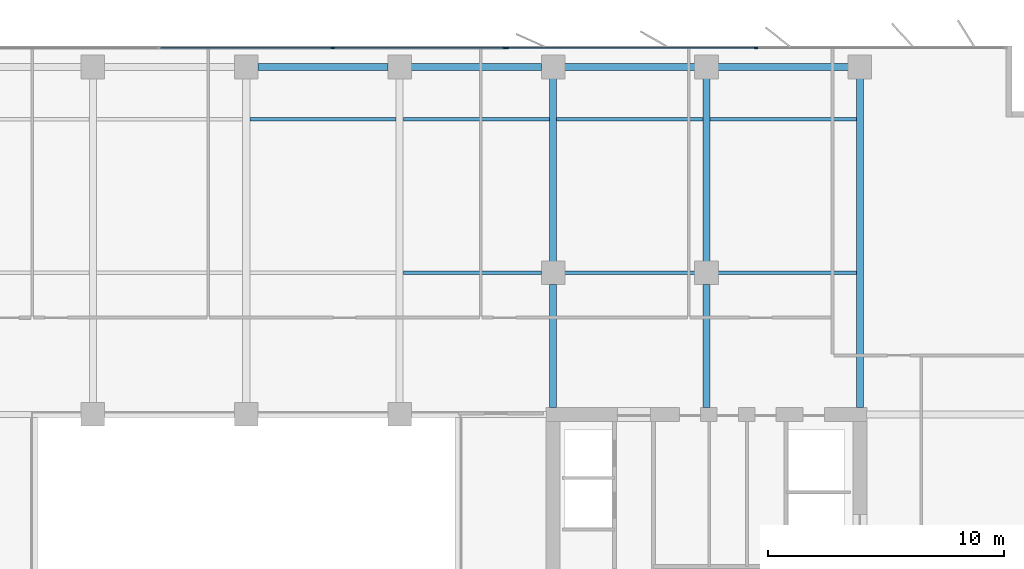
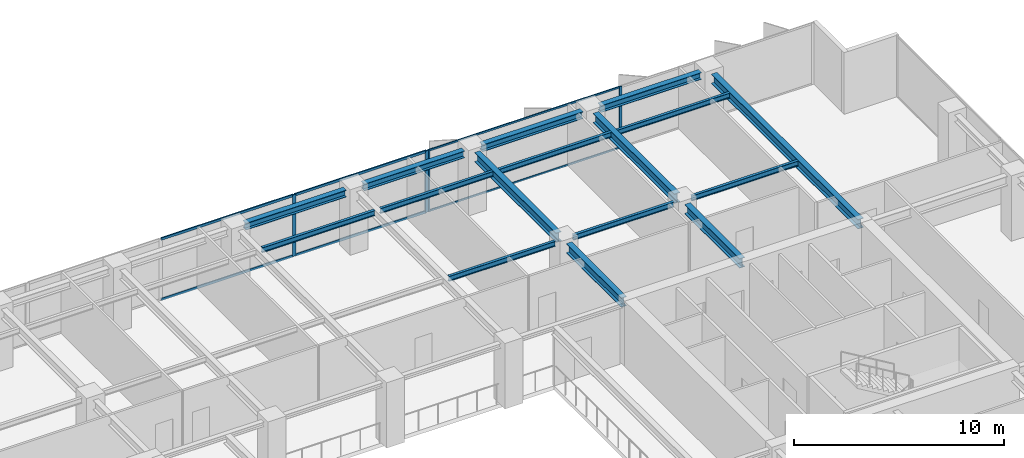
# One storey, part 10 of 22: 16 beams, 10 members, 2 elements without a shape of their own.
"""IFC4 building model written with IfcOpenShell, lengths in metres."""

from ifc_helpers import new_model, si_unit, direction, frame, origin, origin_2d, place, context, subcontext, project, spatial, rectangle, i_section, extrude, material, layer, layer_set, material_profile, profile_set, type_object, element, aggregate, save


model = new_model("IFC4")

# Units and contexts
model_context = context("Model", 3, precision=1e-05, world=origin(), true_north=direction((0.0, 1.0)))
body_context = subcontext(model_context, "Body", "Model", "MODEL_VIEW")
ifc_project = project(units=[si_unit("LENGTHUNIT", "METRE"), si_unit("AREAUNIT", "SQUARE_METRE"), si_unit("VOLUMEUNIT", "CUBIC_METRE"), si_unit("PLANEANGLEUNIT", "RADIAN"), si_unit("MASSUNIT", "GRAM", prefix="KILO")], contexts=[model_context])

# Site, building, storey
site_placement = place(None, origin())
site = spatial("IfcSite", under=ifc_project, at=site_placement, CompositionType="ELEMENT")
building_placement = place(site_placement, origin())
building = spatial("IfcBuilding", under=site, at=building_placement, Name="Putna Gate Headquarters", CompositionType="ELEMENT")
storey_placement = place(building_placement, frame((0.0, 0.0, 174.60009765625)))
storey = spatial("IfcBuildingStorey", under=building, at=storey_placement, Name="L43", CompositionType="ELEMENT", Elevation=174.60009765625)

# Beams
ifc_material_1 = material(Name="Steel S355J2", Category="steel")
ifc_material_profile_1 = material_profile(ifc_material_1, i_section(OverallWidth=0.300048828125, OverallDepth=0.550048828125, WebThickness=0.014892578125, FlangeThickness=0.029052734375, at=origin_2d()), Name="Steel S355J2")
ifc_profile_set_1 = profile_set([ifc_material_profile_1], Name="Steel S355J2")
beam_type_1 = type_object("IfcBeamType", Name="BM-GIRD-Z3-HEB550", PredefinedType="USERDEFINED", material=ifc_profile_set_1)
beam_1_placement = place(storey_placement, frame((52.0, 33.284912109375, 3.296875), z_axis=(0.0, 1.0, 0.0), x_axis=(-1.0, 0.0, 0.0)))
element("IfcBeam", 1, at=beam_1_placement, inside=storey, type_object=beam_type_1, Name="L43 North Primary Girder X52-1", ObjectType="GIRDER", PredefinedType="USERDEFINED", context=body_context, shape_type="SweptSolid", body=[
    extrude(i_section(OverallWidth=0.300048828125, OverallDepth=0.550048828125, WebThickness=0.014892578125, FlangeThickness=0.029052734375, at=origin_2d()), origin(), (0.0, 0.0, 1.0), 5.22705078125),
])
beam_2_placement = place(storey_placement, frame((52.0, 39.488037109375, 3.296875), z_axis=(0.0, 1.0, 0.0), x_axis=(-1.0, 0.0, 0.0)))
element("IfcBeam", 2, at=beam_2_placement, inside=storey, type_object=beam_type_1, Name="L43 North Primary Girder X52-2", ObjectType="GIRDER", PredefinedType="USERDEFINED", context=body_context, shape_type="SweptSolid", body=[
    extrude(i_section(OverallWidth=0.300048828125, OverallDepth=0.550048828125, WebThickness=0.014892578125, FlangeThickness=0.029052734375, at=origin_2d()), origin(), (0.0, 0.0, 1.0), 7.743896484375),
])
beam_3_placement = place(storey_placement, frame((58.5, 33.284912109375, 3.296875), z_axis=(0.0, 1.0, 0.0), x_axis=(-1.0, 0.0, 0.0)))
element("IfcBeam", 3, at=beam_3_placement, inside=storey, type_object=beam_type_1, Name="L43 North Primary Girder X58-1", ObjectType="GIRDER", PredefinedType="USERDEFINED", context=body_context, shape_type="SweptSolid", body=[
    extrude(i_section(OverallWidth=0.300048828125, OverallDepth=0.550048828125, WebThickness=0.014892578125, FlangeThickness=0.029052734375, at=origin_2d()), origin(), (0.0, 0.0, 1.0), 5.22705078125),
])
beam_4_placement = place(storey_placement, frame((58.5, 39.488037109375, 3.296875), z_axis=(0.0, 1.0, 0.0), x_axis=(-1.0, 0.0, 0.0)))
element("IfcBeam", 4, at=beam_4_placement, inside=storey, type_object=beam_type_1, Name="L43 North Primary Girder X58-2", ObjectType="GIRDER", PredefinedType="USERDEFINED", context=body_context, shape_type="SweptSolid", body=[
    extrude(i_section(OverallWidth=0.300048828125, OverallDepth=0.550048828125, WebThickness=0.014892578125, FlangeThickness=0.029052734375, at=origin_2d()), origin(), (0.0, 0.0, 1.0), 7.743896484375),
])
beam_5_placement = place(storey_placement, frame((65.0, 33.284912109375, 3.296875), z_axis=(0.0, 1.0, 0.0), x_axis=(-1.0, 0.0, 0.0)))
element("IfcBeam", 5, at=beam_5_placement, inside=storey, type_object=beam_type_1, Name="L43 North Primary Girder X65", ObjectType="GIRDER", PredefinedType="USERDEFINED", context=body_context, shape_type="SweptSolid", body=[
    extrude(i_section(OverallWidth=0.300048828125, OverallDepth=0.550048828125, WebThickness=0.014892578125, FlangeThickness=0.029052734375, at=origin_2d()), origin(), (0.0, 0.0, 1.0), 13.947021484375),
])
ifc_material_profile_2 = material_profile(ifc_material_1, i_section(OverallWidth=0.14990234375, OverallDepth=0.300048828125, WebThickness=0.007080078125, FlangeThickness=0.0107421875, at=origin_2d()), Name="Steel S355J2")
ifc_profile_set_2 = profile_set([ifc_material_profile_2], Name="Steel S355J2")
beam_type_2 = type_object("IfcBeamType", Name="BM-SEC-Z3-IPE300", PredefinedType="JOIST", material=ifc_profile_set_2)
beam_6_placement = place(storey_placement, frame((39.154052734375, 45.5, 3.421875), z_axis=(1.0, 0.0, 0.0), x_axis=(0.0, 1.0, 0.0)))
element("IfcBeam", 6, at=beam_6_placement, inside=storey, type_object=beam_type_2, Name="L43 North Secondary Beam 5", PredefinedType="JOIST", context=body_context, shape_type="SweptSolid", body=[
    extrude(i_section(OverallWidth=0.14990234375, OverallDepth=0.300048828125, WebThickness=0.007080078125, FlangeThickness=0.0107421875, at=origin_2d()), origin(), (0.0, 0.0, 1.0), 6.19189453125),
])
beam_7_placement = place(storey_placement, frame((45.654052734375, 39.0, 3.421875), z_axis=(1.0, 0.0, 0.0), x_axis=(0.0, 1.0, 0.0)))
element("IfcBeam", 7, at=beam_7_placement, inside=storey, type_object=beam_type_2, Name="L43 North Secondary Beam 6", PredefinedType="JOIST", context=body_context, shape_type="SweptSolid", body=[
    extrude(i_section(OverallWidth=0.14990234375, OverallDepth=0.300048828125, WebThickness=0.007080078125, FlangeThickness=0.0107421875, at=origin_2d()), origin(), (0.0, 0.0, 1.0), 5.85791015625),
])
beam_8_placement = place(storey_placement, frame((45.654052734375, 45.5, 3.421875), z_axis=(1.0, 0.0, 0.0), x_axis=(0.0, 1.0, 0.0)))
element("IfcBeam", 8, at=beam_8_placement, inside=storey, type_object=beam_type_2, Name="L43 North Secondary Beam 6", PredefinedType="JOIST", context=body_context, shape_type="SweptSolid", body=[
    extrude(i_section(OverallWidth=0.14990234375, OverallDepth=0.300048828125, WebThickness=0.007080078125, FlangeThickness=0.0107421875, at=origin_2d()), origin(), (0.0, 0.0, 1.0), 6.19189453125),
])
beam_9_placement = place(storey_placement, frame((52.488037109375, 39.0, 3.421875), z_axis=(1.0, 0.0, 0.0), x_axis=(0.0, 1.0, 0.0)))
element("IfcBeam", 9, at=beam_9_placement, inside=storey, type_object=beam_type_2, Name="L43 North Secondary Beam 7", PredefinedType="JOIST", context=body_context, shape_type="SweptSolid", body=[
    extrude(i_section(OverallWidth=0.14990234375, OverallDepth=0.300048828125, WebThickness=0.007080078125, FlangeThickness=0.0107421875, at=origin_2d()), origin(), (0.0, 0.0, 1.0), 5.52392578125),
])
beam_10_placement = place(storey_placement, frame((52.154052734375, 45.5, 3.421875), z_axis=(1.0, 0.0, 0.0), x_axis=(0.0, 1.0, 0.0)))
element("IfcBeam", 10, at=beam_10_placement, inside=storey, type_object=beam_type_2, Name="L43 North Secondary Beam 7", PredefinedType="JOIST", context=body_context, shape_type="SweptSolid", body=[
    extrude(i_section(OverallWidth=0.14990234375, OverallDepth=0.300048828125, WebThickness=0.007080078125, FlangeThickness=0.0107421875, at=origin_2d()), origin(), (0.0, 0.0, 1.0), 6.19189453125),
])
beam_11_placement = place(storey_placement, frame((58.988037109375, 39.0, 3.421875), z_axis=(1.0, 0.0, 0.0), x_axis=(0.0, 1.0, 0.0)))
element("IfcBeam", 11, at=beam_11_placement, inside=storey, type_object=beam_type_2, Name="L43 North Secondary Beam 8", PredefinedType="JOIST", context=body_context, shape_type="SweptSolid", body=[
    extrude(i_section(OverallWidth=0.14990234375, OverallDepth=0.300048828125, WebThickness=0.007080078125, FlangeThickness=0.0107421875, at=origin_2d()), origin(), (0.0, 0.0, 1.0), 5.85791015625),
])
beam_12_placement = place(storey_placement, frame((58.654052734375, 45.5, 3.421875), z_axis=(1.0, 0.0, 0.0), x_axis=(0.0, 1.0, 0.0)))
element("IfcBeam", 12, at=beam_12_placement, inside=storey, type_object=beam_type_2, Name="L43 North Secondary Beam 8", PredefinedType="JOIST", context=body_context, shape_type="SweptSolid", body=[
    extrude(i_section(OverallWidth=0.14990234375, OverallDepth=0.300048828125, WebThickness=0.007080078125, FlangeThickness=0.0107421875, at=origin_2d()), origin(), (0.0, 0.0, 1.0), 6.19189453125),
])
ifc_material_profile_3 = material_profile(ifc_material_1, i_section(OverallWidth=0.300048828125, OverallDepth=0.39990234375, WebThickness=0.013427734375, FlangeThickness=0.02392578125, at=origin_2d()), Name="Steel S355J2")
ifc_profile_set_3 = profile_set([ifc_material_profile_3], Name="Steel S355J2")
beam_type_3 = type_object("IfcBeamType", Name="BM-SPAN-Z3-HEB400", PredefinedType="SPANDREL", material=ifc_profile_set_3)
for number, where, z_axis, x_axis, name in (
    (13, (39.488037109375, 47.719970703125, 3.371826171875), (1.0, 0.0, 0.0), (0.0, 1.0, 0.0), "L43 N Perimeter Spandrel 5"),
    (14, (45.988037109375, 47.719970703125, 3.371826171875), (1.0, 0.0, 0.0), (0.0, 1.0, 0.0), "L43 N Perimeter Spandrel 6"),
    (15, (52.488037109375, 47.719970703125, 3.371826171875), (1.0, 0.0, 0.0), (0.0, 1.0, 0.0), "L43 N Perimeter Spandrel 7"),
    (16, (58.988037109375, 47.719970703125, 3.371826171875), (1.0, 0.0, 0.0), (0.0, 1.0, 0.0), "L43 N Perimeter Spandrel 8"),
):
    element("IfcBeam", number, at=place(storey_placement, frame(where, z_axis=z_axis, x_axis=x_axis)), inside=storey, type_object=beam_type_3, Name=name, PredefinedType="SPANDREL", context=body_context, shape_type="SweptSolid", body=[
        extrude(i_section(OverallWidth=0.300048828125, OverallDepth=0.39990234375, WebThickness=0.013427734375, FlangeThickness=0.02392578125, at=origin_2d()), origin(), (0.0, 0.0, 1.0), 5.52392578125),
    ])

# Curtain wall, members
ifc_material_2 = material(Name="Anodised bronze aluminium curtain wall", Category="aluminium")
ifc_layer_1 = layer(ifc_material_2, 0.159912109375)
ifc_layer_set_1 = layer_set([ifc_layer_1], Name="Anodised bronze aluminium curtain wall")
curtain_wall_type_1 = type_object("IfcCurtainWallType", Name="CW-SYS-Z3", PredefinedType="USERDEFINED", material=ifc_layer_set_1)
curtain_wall_1_placement = place(storey_placement, origin())
curtain_wall_1 = element("IfcCurtainWall", 17, at=curtain_wall_1_placement, inside=storey, type_object=curtain_wall_type_1, Name="L43 North East Curtain Wall", ObjectType="STICK CURTAIN WALL", PredefinedType="USERDEFINED")
ifc_material_3 = material(Name="Anodised bronze aluminium EN AW-6060", Category="aluminium")
ifc_material_profile_4 = material_profile(ifc_material_3, rectangle(XDim=0.06494140625, YDim=0.159912109375, at=origin_2d()), Name="Anodised bronze aluminium EN AW-6060")
ifc_profile_set_4 = profile_set([ifc_material_profile_4], Name="Anodised bronze aluminium EN AW-6060")
member_type_1 = type_object("IfcMemberType", Name="MULL-CWM-3", PredefinedType="MULLION", material=ifc_profile_set_4)
member_1_placement = place(storey_placement, frame((50.032470703125, 48.52001953125, 0.0), z_axis=(0.0, 0.0, 1.0), x_axis=(0.0, 1.0, 0.0)))
member_1 = element("IfcMember", 18, at=member_1_placement, type_object=member_type_1, Name="CWS-3 mullion 1", PredefinedType="MULLION", context=body_context, shape_type="SweptSolid", body=[
    extrude(rectangle(XDim=0.06494140625, YDim=0.159912109375, at=origin_2d()), origin(), (0.0, 0.0, 1.0), 3.572021484375),
])
member_2_placement = place(storey_placement, frame((60.60009765625, 48.52001953125, 0.0), z_axis=(0.0, 0.0, 1.0), x_axis=(0.0, 1.0, 0.0)))
member_2 = element("IfcMember", 19, at=member_2_placement, type_object=member_type_1, Name="CWS-3 mullion 2", PredefinedType="MULLION", context=body_context, shape_type="SweptSolid", body=[
    extrude(rectangle(XDim=0.06494140625, YDim=0.159912109375, at=origin_2d()), origin(), (0.0, 0.0, 1.0), 3.572021484375),
])

ifc_layer_2 = layer(ifc_material_2, 0.179931640625)
ifc_layer_set_2 = layer_set([ifc_layer_2], Name="Anodised bronze aluminium curtain wall")
curtain_wall_type_2 = type_object("IfcCurtainWallType", Name="CW-SYS-ATR", PredefinedType="USERDEFINED", material=ifc_layer_set_2)
curtain_wall_2_placement = place(storey_placement, origin())
curtain_wall_2 = element("IfcCurtainWall", 20, at=curtain_wall_2_placement, inside=storey, type_object=curtain_wall_type_2, Name="L43 North Atrium Clear Glazing", ObjectType="ATRIUM GLAZING", PredefinedType="USERDEFINED")
ifc_material_profile_5 = material_profile(ifc_material_3, rectangle(XDim=0.070068359375, YDim=0.179931640625, at=origin_2d()), Name="Anodised bronze aluminium EN AW-6060")
ifc_profile_set_5 = profile_set([ifc_material_profile_5], Name="Anodised bronze aluminium EN AW-6060")
member_type_2 = type_object("IfcMemberType", Name="MULL-CWM-AT", PredefinedType="MULLION", material=ifc_profile_set_5)
member_3_placement = place(storey_placement, frame((42.666748046875, 48.52001953125, 0.0), z_axis=(0.0, 0.0, 1.0), x_axis=(0.0, 1.0, 0.0)))
member_3 = element("IfcMember", 21, at=member_3_placement, type_object=member_type_2, Name="CWS-AT mullion 3", PredefinedType="MULLION", context=body_context, shape_type="SweptSolid", body=[
    extrude(rectangle(XDim=0.070068359375, YDim=0.179931640625, at=origin_2d()), origin(), (0.0, 0.0, 1.0), 3.572021484375),
])
member_4_placement = place(storey_placement, frame((49.965087890625, 48.52001953125, 0.0), z_axis=(0.0, 0.0, 1.0), x_axis=(0.0, 1.0, 0.0)))
member_4 = element("IfcMember", 22, at=member_4_placement, type_object=member_type_2, Name="CWS-AT mullion 4", PredefinedType="MULLION", context=body_context, shape_type="SweptSolid", body=[
    extrude(rectangle(XDim=0.070068359375, YDim=0.179931640625, at=origin_2d()), origin(), (0.0, 0.0, 1.0), 3.572021484375),
])

# Member
ifc_material_profile_6 = material_profile(ifc_material_3, rectangle(XDim=0.06005859375, YDim=0.10009765625, at=origin_2d()), Name="Anodised bronze aluminium EN AW-6060")
ifc_profile_set_6 = profile_set([ifc_material_profile_6], Name="Anodised bronze aluminium EN AW-6060")
member_type_3 = type_object("IfcMemberType", Name="TRAN-CWT-3", PredefinedType="USERDEFINED", material=ifc_profile_set_6)
member_5_placement = place(storey_placement, frame((50.06494140625, 48.52001953125, 0.02978515625), z_axis=(1.0, 0.0, 0.0), x_axis=(0.0, 1.0, 0.0)))
member_5 = element("IfcMember", 23, at=member_5_placement, type_object=member_type_3, Name="CWS-3 transom 1.1", ObjectType="TRANSOM", PredefinedType="USERDEFINED", context=body_context, shape_type="SweptSolid", body=[
    extrude(rectangle(XDim=0.06005859375, YDim=0.10009765625, at=origin_2d()), origin(), (0.0, 0.0, 1.0), 10.50244140625),
])

member_6_placement = place(storey_placement, frame((50.06494140625, 48.52001953125, 3.5419921875), z_axis=(1.0, 0.0, 0.0), x_axis=(0.0, 1.0, 0.0)))
member_6 = element("IfcMember", 24, at=member_6_placement, type_object=member_type_3, Name="CWS-3 transom 1.2", ObjectType="TRANSOM", PredefinedType="USERDEFINED", context=body_context, shape_type="SweptSolid", body=[
    extrude(rectangle(XDim=0.06005859375, YDim=0.10009765625, at=origin_2d()), origin(), (0.0, 0.0, 1.0), 10.50244140625),
])

aggregate(curtain_wall_1, [member_1, member_2, member_5, member_6])

ifc_material_profile_7 = material_profile(ifc_material_3, rectangle(XDim=0.070068359375, YDim=0.139892578125, at=origin_2d()), Name="Anodised bronze aluminium EN AW-6060")
ifc_profile_set_7 = profile_set([ifc_material_profile_7], Name="Anodised bronze aluminium EN AW-6060")
member_type_4 = type_object("IfcMemberType", Name="TRAN-CWT-AT", PredefinedType="USERDEFINED", material=ifc_profile_set_7)
member_7_placement = place(storey_placement, frame((35.368408203125, 48.52001953125, 0.034912109375), z_axis=(1.0, 0.0, 0.0), x_axis=(0.0, 1.0, 0.0)))
member_7 = element("IfcMember", 25, at=member_7_placement, type_object=member_type_4, Name="CWS-AT transom 2.1", ObjectType="TRANSOM", PredefinedType="USERDEFINED", context=body_context, shape_type="SweptSolid", body=[
    extrude(rectangle(XDim=0.070068359375, YDim=0.139892578125, at=origin_2d()), origin(), (0.0, 0.0, 1.0), 7.26318359375),
])

member_8_placement = place(storey_placement, frame((35.368408203125, 48.52001953125, 3.536865234375), z_axis=(1.0, 0.0, 0.0), x_axis=(0.0, 1.0, 0.0)))
member_8 = element("IfcMember", 26, at=member_8_placement, type_object=member_type_4, Name="CWS-AT transom 2.2", ObjectType="TRANSOM", PredefinedType="USERDEFINED", context=body_context, shape_type="SweptSolid", body=[
    extrude(rectangle(XDim=0.070068359375, YDim=0.139892578125, at=origin_2d()), origin(), (0.0, 0.0, 1.0), 7.26318359375),
])

member_9_placement = place(storey_placement, frame((42.70166015625, 48.52001953125, 0.034912109375), z_axis=(1.0, 0.0, 0.0), x_axis=(0.0, 1.0, 0.0)))
member_9 = element("IfcMember", 27, at=member_9_placement, type_object=member_type_4, Name="CWS-AT transom 3.1", ObjectType="TRANSOM", PredefinedType="USERDEFINED", context=body_context, shape_type="SweptSolid", body=[
    extrude(rectangle(XDim=0.070068359375, YDim=0.139892578125, at=origin_2d()), origin(), (0.0, 0.0, 1.0), 7.228271484375),
])

member_10_placement = place(storey_placement, frame((42.70166015625, 48.52001953125, 3.536865234375), z_axis=(1.0, 0.0, 0.0), x_axis=(0.0, 1.0, 0.0)))
member_10 = element("IfcMember", 28, at=member_10_placement, type_object=member_type_4, Name="CWS-AT transom 3.2", ObjectType="TRANSOM", PredefinedType="USERDEFINED", context=body_context, shape_type="SweptSolid", body=[
    extrude(rectangle(XDim=0.070068359375, YDim=0.139892578125, at=origin_2d()), origin(), (0.0, 0.0, 1.0), 7.228271484375),
])

aggregate(curtain_wall_2, [member_3, member_4, member_7, member_8, member_9, member_10])

save(model, "model.ifc")
